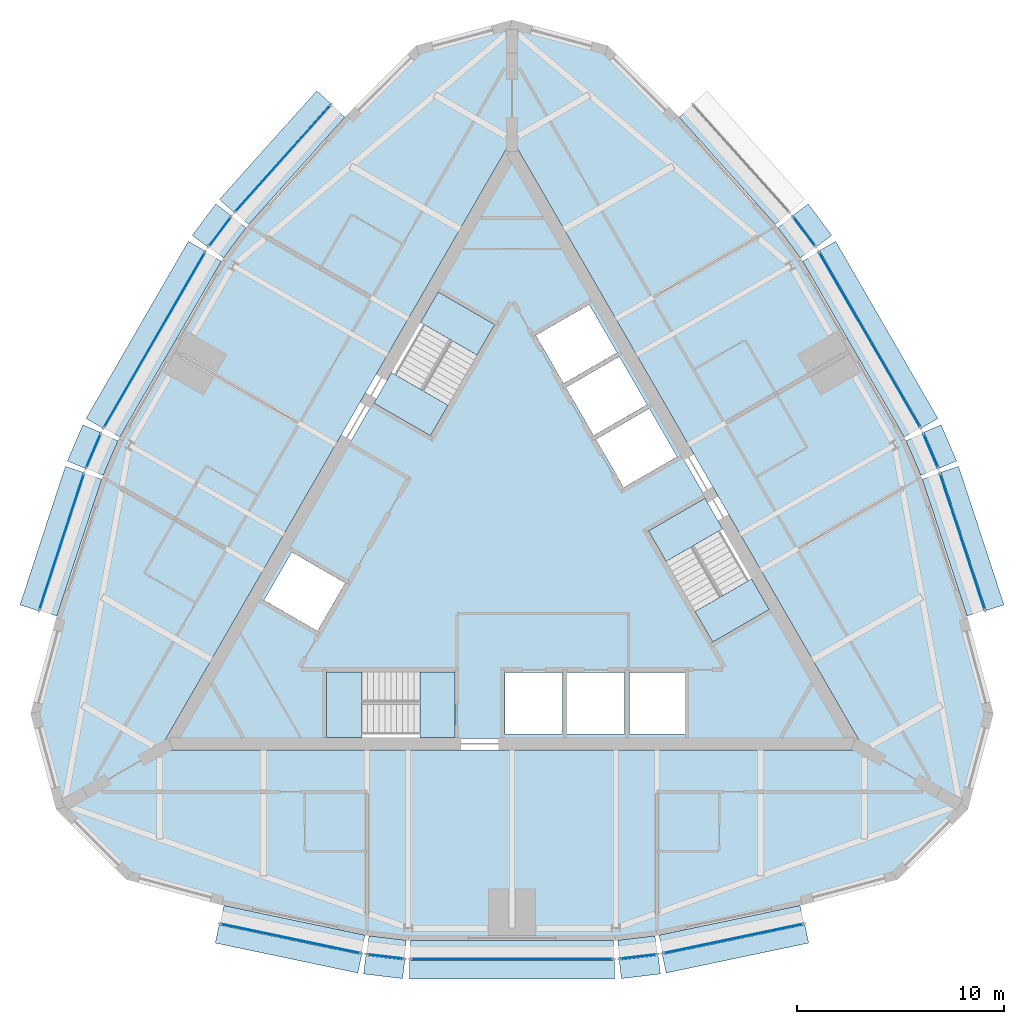
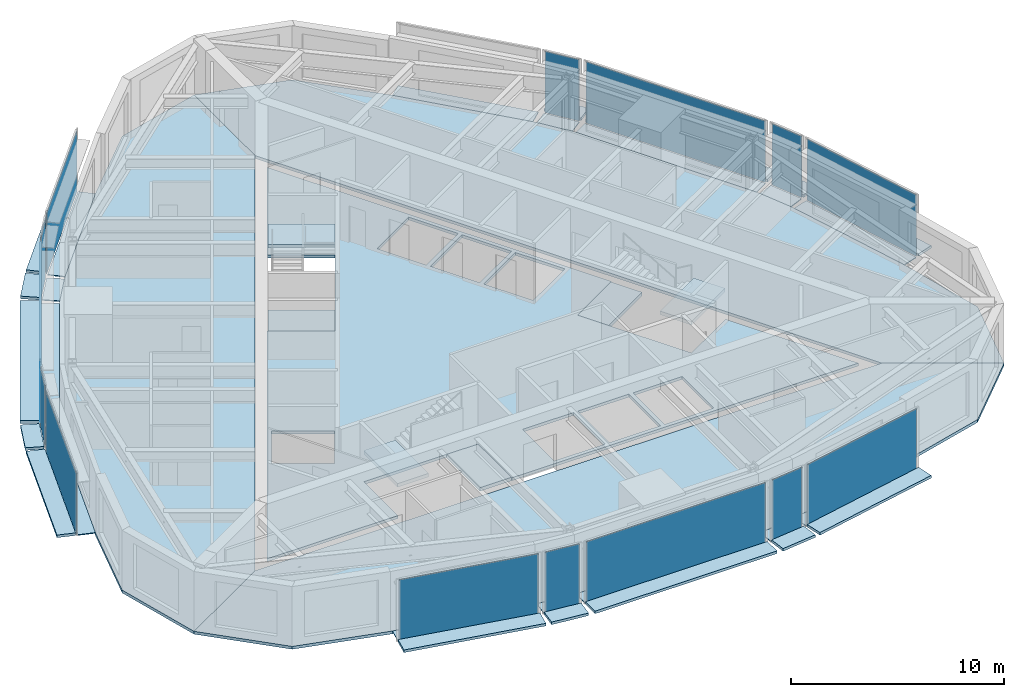
# One storey, part 6 of 12: 43 plates, 10 slabs, 17 elements without a shape of their own.
"""IFC4 building model written with IfcOpenShell, lengths in metres."""

from ifc_helpers import new_model, si_unit, direction, frame, origin, origin_2d, place, context, subcontext, project, spatial, polyline, rectangle, outline, extrude, material, layer, layer_set, type_object, element, aggregate, save


model = new_model("IFC4")

# Units and contexts
model_context = context("Model", 3, precision=1e-05, world=origin(), true_north=direction((0.0, 1.0)))
body_context = subcontext(model_context, "Body", "Model", "MODEL_VIEW")
ifc_project = project(units=[si_unit("LENGTHUNIT", "METRE"), si_unit("AREAUNIT", "SQUARE_METRE"), si_unit("VOLUMEUNIT", "CUBIC_METRE"), si_unit("PLANEANGLEUNIT", "RADIAN"), si_unit("MASSUNIT", "GRAM", prefix="KILO")], contexts=[model_context])

# Site, building, storey
site_placement = place(None, origin())
site = spatial("IfcSite", under=ifc_project, at=site_placement, CompositionType="ELEMENT")
building_placement = place(site_placement, origin())
building = spatial("IfcBuilding", under=site, at=building_placement, Name="Trikona Tower", CompositionType="ELEMENT")
storey_placement = place(building_placement, frame((0.0, 0.0, 250.10009765625)))
storey = spatial("IfcBuildingStorey", under=building, at=storey_placement, Name="L66", CompositionType="ELEMENT", Elevation=250.10009765625)

# Plates
ifc_material_1 = material(Name="Aluminium bar grating", Category="aluminium")
ifc_layer_1 = layer(ifc_material_1, 0.050048828125)
ifc_layer_set_1 = layer_set([ifc_layer_1], Name="Cavity catwalk grating")
plate_type_1 = type_object("IfcPlateType", Name="Cavity catwalk grating", PredefinedType="USERDEFINED", material=ifc_layer_set_1)
plate_1_placement = place(storey_placement, frame((-10.586181640625, -18.466552734375, -0.05029296875), z_axis=(0.0, 0.0, 1.0), x_axis=(0.97865342171, -0.205517590916, 0.0)))
element("IfcPlate", 1, at=plate_1_placement, inside=storey, type_object=plate_type_1, Name="Cavity catwalk L66-00", ObjectType="CATWALK GRATING", PredefinedType="USERDEFINED", context=body_context, shape_type="SweptSolid", body=[
    extrude(rectangle(XDim=6.95263671875, YDim=0.840087890625, at=origin_2d()), origin(), (0.0, 0.0, 1.0), 0.050048828125),
])
plate_2_placement = place(storey_placement, frame((-6.050048828125, -19.327392578125, -0.05029296875), z_axis=(0.0, 0.0, 1.0), x_axis=(0.992876783199, -0.11914568135, 0.0)))
element("IfcPlate", 2, at=plate_2_placement, inside=storey, type_object=plate_type_1, Name="Cavity catwalk L66-01", ObjectType="CATWALK GRATING", PredefinedType="USERDEFINED", context=body_context, shape_type="SweptSolid", body=[
    extrude(rectangle(XDim=1.814208984375, YDim=0.840087890625, at=origin_2d()), origin(), (0.0, 0.0, 1.0), 0.050048828125),
])
plate_3_placement = place(storey_placement, frame((0.0, -19.450439453125, -0.05029296875), z_axis=(0.0, 0.0, 1.0), x_axis=(1.0, 0.0, 0.0)))
element("IfcPlate", 3, at=plate_3_placement, inside=storey, type_object=plate_type_1, Name="Cavity catwalk L66-02", ObjectType="CATWALK GRATING", PredefinedType="USERDEFINED", context=body_context, shape_type="SweptSolid", body=[
    extrude(rectangle(XDim=9.800048828125, YDim=0.840087890625, at=origin_2d()), origin(), (0.0, 0.0, 1.0), 0.050048828125),
])
plate_4_placement = place(storey_placement, frame((6.050048828125, -19.327392578125, -0.05029296875), z_axis=(0.0, 0.0, 1.0), x_axis=(0.992876783199, 0.11914568135, 0.0)))
element("IfcPlate", 4, at=plate_4_placement, inside=storey, type_object=plate_type_1, Name="Cavity catwalk L66-03", ObjectType="CATWALK GRATING", PredefinedType="USERDEFINED", context=body_context, shape_type="SweptSolid", body=[
    extrude(rectangle(XDim=1.814208984375, YDim=0.840087890625, at=origin_2d()), origin(), (0.0, 0.0, 1.0), 0.050048828125),
])
for number, where, z_axis, x_axis, name in (
    (5, (10.586181640625, -18.466552734375, -0.05029296875), (0.0, 0.0, 1.0), (0.97865342171, 0.205517590916, 0.0), "Cavity catwalk L66-04"),
    (6, (21.28564453125, 0.065185546875, -0.05029296875), (0.0, 0.0, 1.0), (-0.311336621861, 0.950299693722, 0.0), "Cavity catwalk L66-09"),
):
    element("IfcPlate", number, at=place(storey_placement, frame(where, z_axis=z_axis, x_axis=x_axis)), inside=storey, type_object=plate_type_1, Name=name, ObjectType="CATWALK GRATING", PredefinedType="USERDEFINED", context=body_context, shape_type="SweptSolid", body=[
        extrude(rectangle(XDim=6.95263671875, YDim=0.840087890625, at=origin_2d()), origin(), (0.0, 0.0, 1.0), 0.050048828125),
    ])
plate_5_placement = place(storey_placement, frame((19.76318359375, 4.42431640625, -0.05029296875), z_axis=(0.0, 0.0, 1.0), x_axis=(-0.39328408933, 0.919417002823, 0.0)))
element("IfcPlate", 7, at=plate_5_placement, inside=storey, type_object=plate_type_1, Name="Cavity catwalk L66-10", ObjectType="CATWALK GRATING", PredefinedType="USERDEFINED", context=body_context, shape_type="SweptSolid", body=[
    extrude(rectangle(XDim=1.814208984375, YDim=0.840087890625, at=origin_2d()), origin(), (0.0, 0.0, 1.0), 0.050048828125),
])
plate_6_placement = place(storey_placement, frame((16.844482421875, 9.72509765625, -0.05029296875), z_axis=(0.0, 0.0, 1.0), x_axis=(-0.4999984885, 0.866026276448, 0.0)))
element("IfcPlate", 8, at=plate_6_placement, inside=storey, type_object=plate_type_1, Name="Cavity catwalk L66-11", ObjectType="CATWALK GRATING", PredefinedType="USERDEFINED", context=body_context, shape_type="SweptSolid", body=[
    extrude(rectangle(XDim=9.800048828125, YDim=0.840087890625, at=origin_2d()), origin(), (0.0, 0.0, 1.0), 0.050048828125),
])
plate_7_placement = place(storey_placement, frame((13.713134765625, 14.9033203125, -0.05029296875), z_axis=(0.0, 0.0, 1.0), x_axis=(-0.599618784879, 0.800285769472, 0.0)))
element("IfcPlate", 9, at=plate_7_placement, inside=storey, type_object=plate_type_1, Name="Cavity catwalk L66-12", ObjectType="CATWALK GRATING", PredefinedType="USERDEFINED", context=body_context, shape_type="SweptSolid", body=[
    extrude(rectangle(XDim=1.814208984375, YDim=0.840087890625, at=origin_2d()), origin(), (0.0, 0.0, 1.0), 0.050048828125),
])
for number, where, z_axis, x_axis, name in (
    (10, (10.699462890625, 18.4013671875, -0.05029296875), (0.0, 0.0, 1.0), (-0.667311465398, 0.744778764566, 0.0), "Cavity catwalk L66-13"),
    (11, (-10.699462890625, 18.4013671875, -0.05029296875), (0.0, 0.0, 1.0), (-0.667311465398, -0.744778764566, 0.0), "Cavity catwalk L66-18"),
):
    element("IfcPlate", number, at=place(storey_placement, frame(where, z_axis=z_axis, x_axis=x_axis)), inside=storey, type_object=plate_type_1, Name=name, ObjectType="CATWALK GRATING", PredefinedType="USERDEFINED", context=body_context, shape_type="SweptSolid", body=[
        extrude(rectangle(XDim=6.95263671875, YDim=0.840087890625, at=origin_2d()), origin(), (0.0, 0.0, 1.0), 0.050048828125),
    ])
plate_8_placement = place(storey_placement, frame((-13.713134765625, 14.9033203125, -0.05029296875), z_axis=(0.0, 0.0, 1.0), x_axis=(-0.599618784879, -0.800285769472, 0.0)))
element("IfcPlate", 12, at=plate_8_placement, inside=storey, type_object=plate_type_1, Name="Cavity catwalk L66-19", ObjectType="CATWALK GRATING", PredefinedType="USERDEFINED", context=body_context, shape_type="SweptSolid", body=[
    extrude(rectangle(XDim=1.814208984375, YDim=0.840087890625, at=origin_2d()), origin(), (0.0, 0.0, 1.0), 0.050048828125),
])
plate_9_placement = place(storey_placement, frame((-16.844482421875, 9.72509765625, -0.05029296875), z_axis=(0.0, 0.0, 1.0), x_axis=(-0.4999984885, -0.866026276448, 0.0)))
element("IfcPlate", 13, at=plate_9_placement, inside=storey, type_object=plate_type_1, Name="Cavity catwalk L66-20", ObjectType="CATWALK GRATING", PredefinedType="USERDEFINED", context=body_context, shape_type="SweptSolid", body=[
    extrude(rectangle(XDim=9.800048828125, YDim=0.840087890625, at=origin_2d()), origin(), (0.0, 0.0, 1.0), 0.050048828125),
])
plate_10_placement = place(storey_placement, frame((-19.76318359375, 4.42431640625, -0.05029296875), z_axis=(0.0, 0.0, 1.0), x_axis=(-0.39328408933, -0.919417002823, 0.0)))
element("IfcPlate", 14, at=plate_10_placement, inside=storey, type_object=plate_type_1, Name="Cavity catwalk L66-21", ObjectType="CATWALK GRATING", PredefinedType="USERDEFINED", context=body_context, shape_type="SweptSolid", body=[
    extrude(rectangle(XDim=1.814208984375, YDim=0.840087890625, at=origin_2d()), origin(), (0.0, 0.0, 1.0), 0.050048828125),
])
plate_11_placement = place(storey_placement, frame((-21.28564453125, 0.065185546875, -0.05029296875), z_axis=(0.0, 0.0, 1.0), x_axis=(-0.311336621861, -0.950299693722, 0.0)))
element("IfcPlate", 15, at=plate_11_placement, inside=storey, type_object=plate_type_1, Name="Cavity catwalk L66-22", ObjectType="CATWALK GRATING", PredefinedType="USERDEFINED", context=body_context, shape_type="SweptSolid", body=[
    extrude(rectangle(XDim=6.95263671875, YDim=0.840087890625, at=origin_2d()), origin(), (0.0, 0.0, 1.0), 0.050048828125),
])

# Slabs
ifc_material_2 = material(Name="Concrete f'c 5000 psi lightweight on composite steel deck", Category="concrete")
ifc_layer_2 = layer(ifc_material_2, 0.1650390625)
ifc_layer_set_2 = layer_set([ifc_layer_2], Name="Composite floor slab 165")
slab_type_1 = type_object("IfcSlabType", Name="Composite floor slab 165", PredefinedType="FLOOR", material=ifc_layer_set_2)
slab_1_placement = place(storey_placement, frame((0.0, 0.0, -0.1650390625)))
element("IfcSlab", 16, at=slab_1_placement, inside=storey, type_object=slab_type_1, Name="Floor slab L66 core", PredefinedType="FLOOR", context=body_context, shape_type="SweptSolid", body=[
    extrude(outline(polyline([(-16.06689453125, -9.2763671875), (-8.949951171875, -9.2763671875), (-8.949951171875, -6.076416015625), (-2.75, -6.076416015625), (-2.75, -9.2763671875), (16.06689453125, -9.2763671875), (12.45849609375, -3.026123046875), (9.687255859375, -4.626220703125), (6.587158203125, 0.7431640625), (9.3583984375, 2.34326171875), (0.0, 18.552490234375), (-3.6083984375, 12.302490234375), (-0.837158203125, 10.702392578125), (-3.937255859375, 5.3330078125), (-6.70849609375, 6.93310546875), (-16.06689453125, -9.2763671875)]), holes=[polyline([(5.659912109375, -6.086181640625), (5.659912109375, -9.06640625), (8.340087890625, -9.06640625), (8.340087890625, -6.086181640625), (5.659912109375, -6.086181640625)]), polyline([(6.631591796875, 6.646240234375), (4.05078125, 5.15625), (5.390869140625, 2.835205078125), (7.9716796875, 4.3251953125), (6.631591796875, 6.646240234375)]), polyline([(6.521484375, 6.8369140625), (5.181640625, 9.15771484375), (2.600830078125, 7.667724609375), (3.94091796875, 5.3466796875), (6.521484375, 6.8369140625)]), polyline([(2.659912109375, -9.06640625), (5.43994140625, -9.06640625), (5.43994140625, -6.086181640625), (2.659912109375, -6.086181640625), (2.659912109375, -9.06640625)]), polyline([(2.490966796875, 7.858154296875), (5.071533203125, 9.34814453125), (3.731689453125, 11.669189453125), (1.15087890625, 10.17919921875), (2.490966796875, 7.858154296875)]), polyline([(2.43994140625, -9.06640625), (2.43994140625, -6.086181640625), (-0.340087890625, -6.086181640625), (-0.340087890625, -9.06640625), (2.43994140625, -9.06640625)]), polyline([(-11.9716796875, -2.602783203125), (-9.390869140625, -4.093017578125), (-8.05078125, -1.77197265625), (-10.631591796875, -0.281982421875), (-11.9716796875, -2.602783203125)])]), origin(), (0.0, 0.0, 1.0), 0.1650390625),
])
slab_2_placement = place(storey_placement, frame((0.0, 0.0, -0.1650390625)))
element("IfcSlab", 17, at=slab_2_placement, inside=storey, type_object=slab_type_1, Name="Floor slab L66 south", PredefinedType="FLOOR", context=body_context, shape_type="SweptSolid", body=[
    extrude(outline(polyline([(18.618896484375, -16.0830078125), (22.0, -12.70166015625), (17.01953125, -9.826416015625), (-17.01953125, -9.826416015625), (-22.0, -12.70166015625), (-18.618896484375, -16.0830078125), (-14.0, -17.320556640625), (-7.0, -18.79052734375), (-5.0, -19.030517578125), (5.0, -19.030517578125), (7.0, -18.79052734375), (14.0, -17.320556640625), (18.618896484375, -16.0830078125)])), origin(), (0.0, 0.0, 1.0), 0.1650390625),
])
slab_3_placement = place(storey_placement, frame((0.0, 0.0, -0.1650390625)))
element("IfcSlab", 18, at=slab_3_placement, inside=storey, type_object=slab_type_1, Name="Floor slab L66 north-east", PredefinedType="FLOOR", context=body_context, shape_type="SweptSolid", body=[
    extrude(outline(polyline([(4.618896484375, 24.165771484375), (0.0, 25.4033203125), (0.0, 19.652587890625), (17.01953125, -9.826416015625), (22.0, -12.70166015625), (23.237548828125, -8.0830078125), (22.0, -3.464111328125), (19.773193359375, 3.3330078125), (18.98095703125, 5.18505859375), (13.98095703125, 13.845458984375), (12.773193359375, 15.45751953125), (8.0, 20.78466796875), (4.618896484375, 24.165771484375)])), origin(), (0.0, 0.0, 1.0), 0.1650390625),
])
slab_4_placement = place(storey_placement, frame((0.0, 0.0, -0.1650390625)))
element("IfcSlab", 19, at=slab_4_placement, inside=storey, type_object=slab_type_1, Name="Floor slab L66 north-west", PredefinedType="FLOOR", context=body_context, shape_type="SweptSolid", body=[
    extrude(outline(polyline([(0.0, 19.652587890625), (0.0, 25.4033203125), (-4.618896484375, 24.165771484375), (-8.0, 20.78466796875), (-12.773193359375, 15.45751953125), (-13.98095703125, 13.845458984375), (-18.98095703125, 5.18505859375), (-19.773193359375, 3.3330078125), (-22.0, -3.464111328125), (-23.237548828125, -8.0830078125), (-22.0, -12.70166015625), (-17.01953125, -9.826416015625), (0.0, 19.652587890625)])), origin(), (0.0, 0.0, 1.0), 0.1650390625),
])

# Curtain wall, plate
ifc_material_3 = material(Name="Aluminium curtain wall system", Category="aluminium")
curtain_wall_type = type_object("IfcCurtainWallType", Name="Curtain wall DS3", PredefinedType="NOTDEFINED", material=ifc_material_3)
curtain_wall_1_placement = place(storey_placement, origin())
curtain_wall_1 = element("IfcCurtainWall", 20, at=curtain_wall_1_placement, inside=storey, type_object=curtain_wall_type, Name="Curtain wall DS3 L66", PredefinedType="NOTDEFINED")
ifc_material_4 = material(Name="Laminated clear glass", Category="glass")
ifc_layer_3 = layer(ifc_material_4, 0.028076171875)
ifc_layer_set_3 = layer_set([ifc_layer_3], Name="Glass panel DS3")
plate_type_2 = type_object("IfcPlateType", Name="Glass panel DS3", PredefinedType="CURTAIN_PANEL", material=ifc_layer_set_3)
plate_12_placement = place(storey_placement, frame((-10.68505859375, -18.936279296875, 0.0), z_axis=(0.0, 0.0, 1.0), x_axis=(0.978651351583, -0.205527448396, 0.0)))
plate_12 = element("IfcPlate", 21, at=plate_12_placement, type_object=plate_type_2, Name="CW-DS3 panel 1.1", PredefinedType="CURTAIN_PANEL", context=body_context, shape_type="SweptSolid", body=[
    extrude(rectangle(XDim=6.892578125, YDim=0.028076171875, at=origin_2d()), origin(), (0.0, 0.0, 1.0), 3.530029296875),
])
aggregate(curtain_wall_1, [plate_12])

curtain_wall_2_placement = place(storey_placement, origin())
curtain_wall_2 = element("IfcCurtainWall", 22, at=curtain_wall_2_placement, inside=storey, type_object=curtain_wall_type, Name="Curtain wall DS3 L66", PredefinedType="NOTDEFINED")
plate_13_placement = place(storey_placement, frame((-6.107177734375, -19.803955078125, 0.0), z_axis=(0.0, 0.0, 1.0), x_axis=(0.992877338043, -0.119141057581, 0.0)))
plate_13 = element("IfcPlate", 23, at=plate_13_placement, type_object=plate_type_2, Name="CW-DS3 panel 1.1", PredefinedType="CURTAIN_PANEL", context=body_context, shape_type="SweptSolid", body=[
    extrude(rectangle(XDim=1.75439453125, YDim=0.028076171875, at=origin_2d()), origin(), (0.0, 0.0, 1.0), 3.530029296875),
])
aggregate(curtain_wall_2, [plate_13])

curtain_wall_3_placement = place(storey_placement, origin())
curtain_wall_3 = element("IfcCurtainWall", 24, at=curtain_wall_3_placement, inside=storey, type_object=curtain_wall_type, Name="Curtain wall DS3 L66", PredefinedType="NOTDEFINED")
plate_14_placement = place(storey_placement, frame((0.0, -19.930419921875, 0.0), z_axis=(0.0, 0.0, 1.0), x_axis=(1.0, 0.0, 0.0)))
plate_14 = element("IfcPlate", 25, at=plate_14_placement, type_object=plate_type_2, Name="CW-DS3 panel 1.1", PredefinedType="CURTAIN_PANEL", context=body_context, shape_type="SweptSolid", body=[
    extrude(rectangle(XDim=9.739990234375, YDim=0.028076171875, at=origin_2d()), origin(), (0.0, 0.0, 1.0), 3.530029296875),
])
aggregate(curtain_wall_3, [plate_14])

curtain_wall_4_placement = place(storey_placement, origin())
curtain_wall_4 = element("IfcCurtainWall", 26, at=curtain_wall_4_placement, inside=storey, type_object=curtain_wall_type, Name="Curtain wall DS3 L66", PredefinedType="NOTDEFINED")
plate_15_placement = place(storey_placement, frame((6.107177734375, -19.803955078125, 0.0), z_axis=(0.0, 0.0, 1.0), x_axis=(0.992877338043, 0.119141057581, 0.0)))
plate_15 = element("IfcPlate", 27, at=plate_15_placement, type_object=plate_type_2, Name="CW-DS3 panel 1.1", PredefinedType="CURTAIN_PANEL", context=body_context, shape_type="SweptSolid", body=[
    extrude(rectangle(XDim=1.75439453125, YDim=0.028076171875, at=origin_2d()), origin(), (0.0, 0.0, 1.0), 3.530029296875),
])
aggregate(curtain_wall_4, [plate_15])

curtain_wall_5_placement = place(storey_placement, origin())
curtain_wall_5 = element("IfcCurtainWall", 28, at=curtain_wall_5_placement, inside=storey, type_object=curtain_wall_type, Name="Curtain wall DS3 L66", PredefinedType="NOTDEFINED")
plate_16_placement = place(storey_placement, frame((10.68505859375, -18.936279296875, 0.0), z_axis=(0.0, 0.0, 1.0), x_axis=(0.978651351583, 0.205527448396, 0.0)))
plate_16 = element("IfcPlate", 29, at=plate_16_placement, type_object=plate_type_2, Name="CW-DS3 panel 1.1", PredefinedType="CURTAIN_PANEL", context=body_context, shape_type="SweptSolid", body=[
    extrude(rectangle(XDim=6.892578125, YDim=0.028076171875, at=origin_2d()), origin(), (0.0, 0.0, 1.0), 3.530029296875),
])
aggregate(curtain_wall_5, [plate_16])

curtain_wall_6_placement = place(storey_placement, origin())
curtain_wall_6 = element("IfcCurtainWall", 30, at=curtain_wall_6_placement, inside=storey, type_object=curtain_wall_type, Name="Curtain wall DS3 L66", PredefinedType="NOTDEFINED")
plate_17_placement = place(storey_placement, frame((21.74169921875, 0.214599609375, 0.0), z_axis=(0.0, 0.0, 1.0), x_axis=(-0.311343553515, 0.95029742275, 0.0)))
plate_17 = element("IfcPlate", 31, at=plate_17_placement, type_object=plate_type_2, Name="CW-DS3 panel 1.1", PredefinedType="CURTAIN_PANEL", context=body_context, shape_type="SweptSolid", body=[
    extrude(rectangle(XDim=6.892822265625, YDim=0.028076171875, at=origin_2d()), origin(), (0.0, 0.0, 1.0), 3.530029296875),
])
aggregate(curtain_wall_6, [plate_17])

curtain_wall_7_placement = place(storey_placement, origin())
curtain_wall_7 = element("IfcCurtainWall", 32, at=curtain_wall_7_placement, inside=storey, type_object=curtain_wall_type, Name="Curtain wall DS3 L66", PredefinedType="NOTDEFINED")
plate_18_placement = place(storey_placement, frame((20.20458984375, 4.613037109375, 0.0), z_axis=(0.0, 0.0, 1.0), x_axis=(-0.393275726143, 0.919420580163, 0.0)))
plate_18 = element("IfcPlate", 33, at=plate_18_placement, type_object=plate_type_2, Name="CW-DS3 panel 1.1", PredefinedType="CURTAIN_PANEL", context=body_context, shape_type="SweptSolid", body=[
    extrude(rectangle(XDim=1.75439453125, YDim=0.028076171875, at=origin_2d()), origin(), (0.0, 0.0, 1.0), 3.530029296875),
])
aggregate(curtain_wall_7, [plate_18])

curtain_wall_8_placement = place(storey_placement, origin())
curtain_wall_8 = element("IfcCurtainWall", 34, at=curtain_wall_8_placement, inside=storey, type_object=curtain_wall_type, Name="Curtain wall DS3 L66", PredefinedType="NOTDEFINED")
plate_19_placement = place(storey_placement, frame((17.26025390625, 9.96533203125, 0.0), z_axis=(0.0, 0.0, 1.0), x_axis=(-0.500001358187, 0.866024619633, 0.0)))
plate_19 = element("IfcPlate", 35, at=plate_19_placement, type_object=plate_type_2, Name="CW-DS3 panel 1.1", PredefinedType="CURTAIN_PANEL", context=body_context, shape_type="SweptSolid", body=[
    extrude(rectangle(XDim=9.739990234375, YDim=0.028076171875, at=origin_2d()), origin(), (0.0, 0.0, 1.0), 3.530029296875),
])
aggregate(curtain_wall_8, [plate_19])

curtain_wall_9_placement = place(storey_placement, origin())
curtain_wall_9 = element("IfcCurtainWall", 36, at=curtain_wall_9_placement, inside=storey, type_object=curtain_wall_type, Name="Curtain wall DS3 L66", PredefinedType="NOTDEFINED")
plate_20_placement = place(storey_placement, frame((14.09716796875, 15.191162109375, 0.0), z_axis=(0.0, 0.0, 1.0), x_axis=(-0.599653634435, 0.800259657055, 0.0)))
plate_20 = element("IfcPlate", 37, at=plate_20_placement, type_object=plate_type_2, Name="CW-DS3 panel 1.1", PredefinedType="CURTAIN_PANEL", context=body_context, shape_type="SweptSolid", body=[
    extrude(rectangle(XDim=1.754150390625, YDim=0.028076171875, at=origin_2d()), origin(), (0.0, 0.0, 1.0), 3.530029296875),
])
aggregate(curtain_wall_9, [plate_20])

curtain_wall_10_placement = place(storey_placement, origin())
curtain_wall_10 = element("IfcCurtainWall", 38, at=curtain_wall_10_placement, inside=storey, type_object=curtain_wall_type, Name="Curtain wall DS3 L66", PredefinedType="NOTDEFINED")
plate_21_placement = place(storey_placement, frame((-11.056884765625, 18.7216796875, 0.0), z_axis=(0.0, 0.0, 1.0), x_axis=(-0.667319643748, -0.744771436797, 0.0)))
plate_21 = element("IfcPlate", 39, at=plate_21_placement, type_object=plate_type_2, Name="CW-DS3 panel 1.1", PredefinedType="CURTAIN_PANEL", context=body_context, shape_type="SweptSolid", body=[
    extrude(rectangle(XDim=6.892822265625, YDim=0.028076171875, at=origin_2d()), origin(), (0.0, 0.0, 1.0), 3.530029296875),
])
aggregate(curtain_wall_10, [plate_21])

curtain_wall_11_placement = place(storey_placement, origin())
curtain_wall_11 = element("IfcCurtainWall", 40, at=curtain_wall_11_placement, inside=storey, type_object=curtain_wall_type, Name="Curtain wall DS3 L66", PredefinedType="NOTDEFINED")
plate_22_placement = place(storey_placement, frame((-14.09716796875, 15.191162109375, 0.0), z_axis=(0.0, 0.0, 1.0), x_axis=(-0.599653634435, -0.800259657055, 0.0)))
plate_22 = element("IfcPlate", 41, at=plate_22_placement, type_object=plate_type_2, Name="CW-DS3 panel 1.1", PredefinedType="CURTAIN_PANEL", context=body_context, shape_type="SweptSolid", body=[
    extrude(rectangle(XDim=1.754150390625, YDim=0.028076171875, at=origin_2d()), origin(), (0.0, 0.0, 1.0), 3.530029296875),
])
aggregate(curtain_wall_11, [plate_22])

curtain_wall_12_placement = place(storey_placement, origin())
curtain_wall_12 = element("IfcCurtainWall", 42, at=curtain_wall_12_placement, inside=storey, type_object=curtain_wall_type, Name="Curtain wall DS3 L66", PredefinedType="NOTDEFINED")
plate_23_placement = place(storey_placement, frame((-17.26025390625, 9.96533203125, 0.0), z_axis=(0.0, 0.0, 1.0), x_axis=(-0.500001358187, -0.866024619633, 0.0)))
plate_23 = element("IfcPlate", 43, at=plate_23_placement, type_object=plate_type_2, Name="CW-DS3 panel 1.1", PredefinedType="CURTAIN_PANEL", context=body_context, shape_type="SweptSolid", body=[
    extrude(rectangle(XDim=9.739990234375, YDim=0.028076171875, at=origin_2d()), origin(), (0.0, 0.0, 1.0), 3.530029296875),
])
aggregate(curtain_wall_12, [plate_23])

curtain_wall_13_placement = place(storey_placement, origin())
curtain_wall_13 = element("IfcCurtainWall", 44, at=curtain_wall_13_placement, inside=storey, type_object=curtain_wall_type, Name="Curtain wall DS3 L66", PredefinedType="NOTDEFINED")
plate_24_placement = place(storey_placement, frame((-20.20458984375, 4.613037109375, 0.0), z_axis=(0.0, 0.0, 1.0), x_axis=(-0.393275726143, -0.919420580163, 0.0)))
plate_24 = element("IfcPlate", 45, at=plate_24_placement, type_object=plate_type_2, Name="CW-DS3 panel 1.1", PredefinedType="CURTAIN_PANEL", context=body_context, shape_type="SweptSolid", body=[
    extrude(rectangle(XDim=1.75439453125, YDim=0.028076171875, at=origin_2d()), origin(), (0.0, 0.0, 1.0), 3.530029296875),
])
aggregate(curtain_wall_13, [plate_24])

curtain_wall_14_placement = place(storey_placement, origin())
curtain_wall_14 = element("IfcCurtainWall", 46, at=curtain_wall_14_placement, inside=storey, type_object=curtain_wall_type, Name="Curtain wall DS3 L66", PredefinedType="NOTDEFINED")
plate_25_placement = place(storey_placement, frame((-21.74169921875, 0.214599609375, 0.0), z_axis=(0.0, 0.0, 1.0), x_axis=(-0.311343553515, -0.95029742275, 0.0)))
plate_25 = element("IfcPlate", 47, at=plate_25_placement, type_object=plate_type_2, Name="CW-DS3 panel 1.1", PredefinedType="CURTAIN_PANEL", context=body_context, shape_type="SweptSolid", body=[
    extrude(rectangle(XDim=6.892822265625, YDim=0.028076171875, at=origin_2d()), origin(), (0.0, 0.0, 1.0), 3.530029296875),
])
aggregate(curtain_wall_14, [plate_25])

# Plates
ifc_material_5 = material(Name="Aluminium plate fin, pale anodised, on stainless steel outriggers", Category="steel")
ifc_layer_4 = layer(ifc_material_5, 0.14990234375)
ifc_layer_set_4 = layer_set([ifc_layer_4], Name="Outer skin fin 900")
plate_type_3 = type_object("IfcPlateType", Name="Outer skin fin 900", PredefinedType="USERDEFINED", material=ifc_layer_set_4)
plate_26_placement = place(storey_placement, frame((-10.789794921875, -19.435302734375, 0.0), z_axis=(0.0, 0.0, 1.0), x_axis=(0.97865342171, -0.205517590916, 0.0)))
element("IfcPlate", 48, at=plate_26_placement, inside=storey, type_object=plate_type_3, Name="Outer skin fin L66-00", ObjectType="FIN", PredefinedType="USERDEFINED", context=body_context, shape_type="SweptSolid", body=[
    extrude(rectangle(XDim=7.03271484375, YDim=0.89990234375, at=origin_2d()), origin(), (0.0, 0.0, 1.0), 0.14990234375),
])
plate_27_placement = place(storey_placement, frame((-6.16796875, -20.310546875, 0.0), z_axis=(0.0, 0.0, 1.0), x_axis=(0.992876783199, -0.11914568135, 0.0)))
element("IfcPlate", 49, at=plate_27_placement, inside=storey, type_object=plate_type_3, Name="Outer skin fin L66-01", ObjectType="FIN", PredefinedType="USERDEFINED", context=body_context, shape_type="SweptSolid", body=[
    extrude(rectangle(XDim=1.894287109375, YDim=0.89990234375, at=origin_2d()), origin(), (0.0, 0.0, 1.0), 0.14990234375),
])
plate_28_placement = place(storey_placement, frame((0.0, -20.4404296875, 0.0), z_axis=(0.0, 0.0, 1.0), x_axis=(1.0, 0.0, 0.0)))
element("IfcPlate", 50, at=plate_28_placement, inside=storey, type_object=plate_type_3, Name="Outer skin fin L66-02", ObjectType="FIN", PredefinedType="USERDEFINED", context=body_context, shape_type="SweptSolid", body=[
    extrude(rectangle(XDim=9.8798828125, YDim=0.89990234375, at=origin_2d()), origin(), (0.0, 0.0, 1.0), 0.14990234375),
])
plate_29_placement = place(storey_placement, frame((6.16796875, -20.310546875, 0.0), z_axis=(0.0, 0.0, 1.0), x_axis=(0.992876783199, 0.11914568135, 0.0)))
element("IfcPlate", 51, at=plate_29_placement, inside=storey, type_object=plate_type_3, Name="Outer skin fin L66-03", ObjectType="FIN", PredefinedType="USERDEFINED", context=body_context, shape_type="SweptSolid", body=[
    extrude(rectangle(XDim=1.894287109375, YDim=0.89990234375, at=origin_2d()), origin(), (0.0, 0.0, 1.0), 0.14990234375),
])
for number, where, z_axis, x_axis, name in (
    (52, (10.789794921875, -19.435302734375, 0.0), (0.0, 0.0, 1.0), (0.97865342171, 0.205517590916, 0.0), "Outer skin fin L66-04"),
    (53, (22.2265625, 0.37353515625, 0.0), (0.0, 0.0, 1.0), (-0.311336621861, 0.950299693722, 0.0), "Outer skin fin L66-09"),
):
    element("IfcPlate", number, at=place(storey_placement, frame(where, z_axis=z_axis, x_axis=x_axis)), inside=storey, type_object=plate_type_3, Name=name, ObjectType="FIN", PredefinedType="USERDEFINED", context=body_context, shape_type="SweptSolid", body=[
        extrude(rectangle(XDim=7.03271484375, YDim=0.89990234375, at=origin_2d()), origin(), (0.0, 0.0, 1.0), 0.14990234375),
    ])
plate_30_placement = place(storey_placement, frame((20.67333984375, 4.813720703125, 0.0), z_axis=(0.0, 0.0, 1.0), x_axis=(-0.39328408933, 0.919417002823, 0.0)))
element("IfcPlate", 54, at=plate_30_placement, inside=storey, type_object=plate_type_3, Name="Outer skin fin L66-10", ObjectType="FIN", PredefinedType="USERDEFINED", context=body_context, shape_type="SweptSolid", body=[
    extrude(rectangle(XDim=1.894287109375, YDim=0.89990234375, at=origin_2d()), origin(), (0.0, 0.0, 1.0), 0.14990234375),
])
plate_31_placement = place(storey_placement, frame((17.701904296875, 10.22021484375, 0.0), z_axis=(0.0, 0.0, 1.0), x_axis=(-0.4999984885, 0.866026276448, 0.0)))
element("IfcPlate", 55, at=plate_31_placement, inside=storey, type_object=plate_type_3, Name="Outer skin fin L66-11", ObjectType="FIN", PredefinedType="USERDEFINED", context=body_context, shape_type="SweptSolid", body=[
    extrude(rectangle(XDim=9.8798828125, YDim=0.89990234375, at=origin_2d()), origin(), (0.0, 0.0, 1.0), 0.14990234375),
])
plate_32_placement = place(storey_placement, frame((14.50537109375, 15.496826171875, 0.0), z_axis=(0.0, 0.0, 1.0), x_axis=(-0.599618784879, 0.800285769472, 0.0)))
element("IfcPlate", 56, at=plate_32_placement, inside=storey, type_object=plate_type_3, Name="Outer skin fin L66-12", ObjectType="FIN", PredefinedType="USERDEFINED", context=body_context, shape_type="SweptSolid", body=[
    extrude(rectangle(XDim=1.894287109375, YDim=0.89990234375, at=origin_2d()), origin(), (0.0, 0.0, 1.0), 0.14990234375),
])
plate_33_placement = place(storey_placement, frame((-11.436767578125, 19.06201171875, 0.0), z_axis=(0.0, 0.0, 1.0), x_axis=(-0.667311465398, -0.744778764566, 0.0)))
element("IfcPlate", 57, at=plate_33_placement, inside=storey, type_object=plate_type_3, Name="Outer skin fin L66-18", ObjectType="FIN", PredefinedType="USERDEFINED", context=body_context, shape_type="SweptSolid", body=[
    extrude(rectangle(XDim=7.03271484375, YDim=0.89990234375, at=origin_2d()), origin(), (0.0, 0.0, 1.0), 0.14990234375),
])
plate_34_placement = place(storey_placement, frame((-14.50537109375, 15.496826171875, 0.0), z_axis=(0.0, 0.0, 1.0), x_axis=(-0.599618784879, -0.800285769472, 0.0)))
element("IfcPlate", 58, at=plate_34_placement, inside=storey, type_object=plate_type_3, Name="Outer skin fin L66-19", ObjectType="FIN", PredefinedType="USERDEFINED", context=body_context, shape_type="SweptSolid", body=[
    extrude(rectangle(XDim=1.894287109375, YDim=0.89990234375, at=origin_2d()), origin(), (0.0, 0.0, 1.0), 0.14990234375),
])
plate_35_placement = place(storey_placement, frame((-17.701904296875, 10.22021484375, 0.0), z_axis=(0.0, 0.0, 1.0), x_axis=(-0.4999984885, -0.866026276448, 0.0)))
element("IfcPlate", 59, at=plate_35_placement, inside=storey, type_object=plate_type_3, Name="Outer skin fin L66-20", ObjectType="FIN", PredefinedType="USERDEFINED", context=body_context, shape_type="SweptSolid", body=[
    extrude(rectangle(XDim=9.8798828125, YDim=0.89990234375, at=origin_2d()), origin(), (0.0, 0.0, 1.0), 0.14990234375),
])
plate_36_placement = place(storey_placement, frame((-20.67333984375, 4.813720703125, 0.0), z_axis=(0.0, 0.0, 1.0), x_axis=(-0.39328408933, -0.919417002823, 0.0)))
element("IfcPlate", 60, at=plate_36_placement, inside=storey, type_object=plate_type_3, Name="Outer skin fin L66-21", ObjectType="FIN", PredefinedType="USERDEFINED", context=body_context, shape_type="SweptSolid", body=[
    extrude(rectangle(XDim=1.894287109375, YDim=0.89990234375, at=origin_2d()), origin(), (0.0, 0.0, 1.0), 0.14990234375),
])
plate_37_placement = place(storey_placement, frame((-22.2265625, 0.37353515625, 0.0), z_axis=(0.0, 0.0, 1.0), x_axis=(-0.311336621861, -0.950299693722, 0.0)))
element("IfcPlate", 61, at=plate_37_placement, inside=storey, type_object=plate_type_3, Name="Outer skin fin L66-22", ObjectType="FIN", PredefinedType="USERDEFINED", context=body_context, shape_type="SweptSolid", body=[
    extrude(rectangle(XDim=7.03271484375, YDim=0.89990234375, at=origin_2d()), origin(), (0.0, 0.0, 1.0), 0.14990234375),
])

# Stair, slabs
ifc_material_6 = material(Name="Concrete f'c 5000 psi", Category="concrete")
stair_type = type_object("IfcStairType", Name="Core stair", PredefinedType="HALF_TURN_STAIR", material=ifc_material_6)
stair_1_placement = place(storey_placement, origin())
stair_1 = element("IfcStair", 62, at=stair_1_placement, inside=storey, type_object=stair_type, Name="Stair A L66", PredefinedType="HALF_TURN_STAIR")
ifc_material_7 = material(Name="Concrete f'c 5000 psi", Category="concrete")
ifc_layer_5 = layer(ifc_material_7, 0.199951171875)
ifc_layer_set_5 = layer_set([ifc_layer_5], Name="Stair landing 200")
slab_type_2 = type_object("IfcSlabType", Name="Stair landing 200", PredefinedType="LANDING", material=ifc_layer_set_5)
slab_5_placement = place(storey_placement, frame((0.0, 0.0, -0.2001953125)))
slab_5 = element("IfcSlab", 63, at=slab_5_placement, type_object=slab_type_2, Name="ST-A landing 1", PredefinedType="LANDING", context=body_context, shape_type="SweptSolid", body=[
    extrude(outline(polyline([(-4.452880859375, -6.076416015625), (-2.75, -6.076416015625), (-2.75, -9.226318359375), (-4.452880859375, -9.226318359375), (-4.452880859375, -6.076416015625)])), origin(), (0.0, 0.0, 1.0), 0.2001953125),
])
slab_6_placement = place(storey_placement, frame((0.0, 0.0, 1.599853515625)))
slab_6 = element("IfcSlab", 64, at=slab_6_placement, type_object=slab_type_2, Name="ST-A landing 2", PredefinedType="LANDING", context=body_context, shape_type="SweptSolid", body=[
    extrude(outline(polyline([(-8.949951171875, -6.076416015625), (-7.2470703125, -6.076416015625), (-7.2470703125, -9.226318359375), (-8.949951171875, -9.226318359375), (-8.949951171875, -6.076416015625)])), origin(), (0.0, 0.0, 1.0), 0.199951171875),
])
aggregate(stair_1, [slab_5, slab_6])

stair_2_placement = place(storey_placement, origin())
stair_2 = element("IfcStair", 65, at=stair_2_placement, inside=storey, type_object=stair_type, Name="Stair B L66", PredefinedType="HALF_TURN_STAIR")
slab_7_placement = place(storey_placement, frame((0.0, 0.0, -0.2001953125)))
slab_7 = element("IfcSlab", 66, at=slab_7_placement, type_object=slab_type_2, Name="ST-B landing 1", PredefinedType="LANDING", context=body_context, shape_type="SweptSolid", body=[
    extrude(outline(polyline([(7.438720703125, -0.731689453125), (6.587158203125, 0.7431640625), (9.315185546875, 2.318115234375), (10.166748046875, 0.84326171875), (7.438720703125, -0.731689453125)])), origin(), (0.0, 0.0, 1.0), 0.2001953125),
])
slab_8_placement = place(storey_placement, frame((0.0, 0.0, 1.599853515625)))
slab_8 = element("IfcSlab", 67, at=slab_8_placement, type_object=slab_type_2, Name="ST-B landing 2", PredefinedType="LANDING", context=body_context, shape_type="SweptSolid", body=[
    extrude(outline(polyline([(9.687255859375, -4.626220703125), (8.835693359375, -3.1513671875), (11.563720703125, -1.576416015625), (12.415283203125, -3.05126953125), (9.687255859375, -4.626220703125)])), origin(), (0.0, 0.0, 1.0), 0.199951171875),
])
aggregate(stair_2, [slab_7, slab_8])

stair_3_placement = place(storey_placement, origin())
stair_3 = element("IfcStair", 68, at=stair_3_placement, inside=storey, type_object=stair_type, Name="Stair C L66", PredefinedType="HALF_TURN_STAIR")
slab_9_placement = place(storey_placement, frame((0.0, 0.0, -0.2001953125)))
slab_9 = element("IfcSlab", 69, at=slab_9_placement, type_object=slab_type_2, Name="ST-C landing 1", PredefinedType="LANDING", context=body_context, shape_type="SweptSolid", body=[
    extrude(outline(polyline([(-3.085693359375, 6.807861328125), (-3.937255859375, 5.3330078125), (-6.665283203125, 6.908203125), (-5.813720703125, 8.3828125), (-3.085693359375, 6.807861328125)])), origin(), (0.0, 0.0, 1.0), 0.2001953125),
])
slab_10_placement = place(storey_placement, frame((0.0, 0.0, 1.599853515625)))
slab_10 = element("IfcSlab", 70, at=slab_10_placement, type_object=slab_type_2, Name="ST-C landing 2", PredefinedType="LANDING", context=body_context, shape_type="SweptSolid", body=[
    extrude(outline(polyline([(-0.837158203125, 10.702392578125), (-1.688720703125, 9.2275390625), (-4.416748046875, 10.802490234375), (-3.565185546875, 12.277587890625), (-0.837158203125, 10.702392578125)])), origin(), (0.0, 0.0, 1.0), 0.199951171875),
])
aggregate(stair_3, [slab_9, slab_10])

save(model, "model.ifc")
